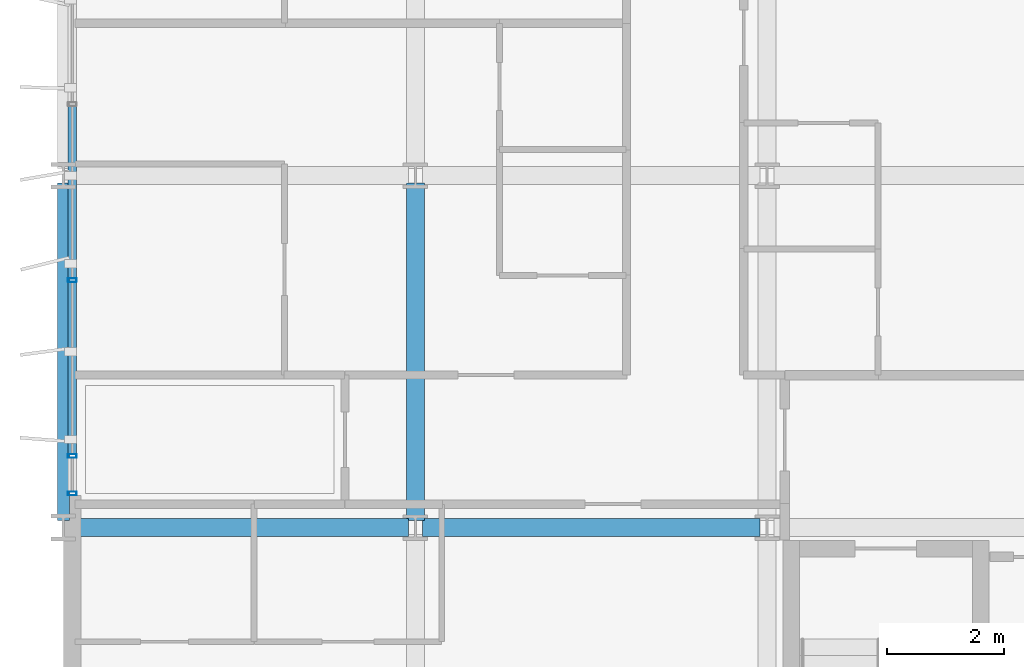
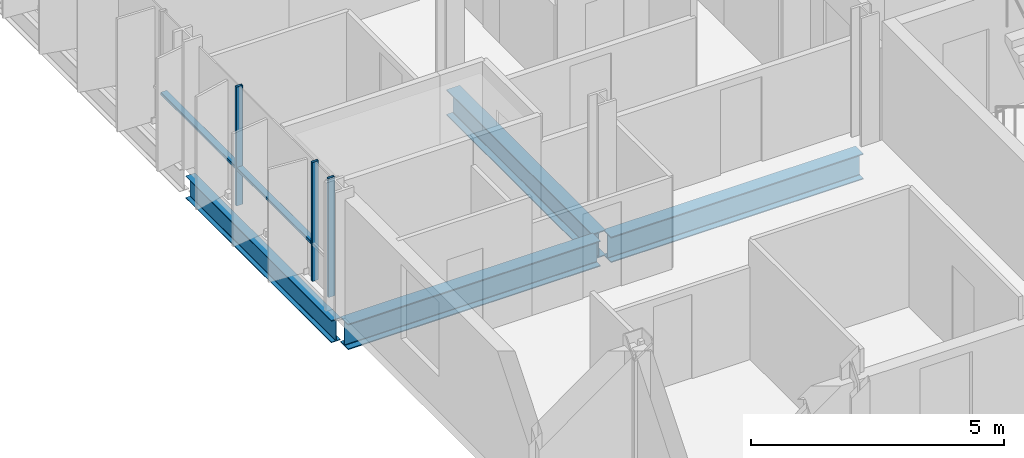
# One storey, part 2 of 39: 5 members, 4 beams, 1 element without a shape of its own.
"""IFC4 building model written with IfcOpenShell, lengths in metres."""

from ifc_helpers import new_model, si_unit, direction, frame, origin, origin_2d, place, context, subcontext, project, spatial, hollow_rectangle, i_section, extrude, material, layer, layer_set, material_profile, profile_set, type_object, element, aggregate, save


model = new_model("IFC4")

# Units and contexts
model_context = context("Model", 3, precision=1e-05, world=origin(), true_north=direction((0.0, 1.0)))
body_context = subcontext(model_context, "Body", "Model", "MODEL_VIEW")
ifc_project = project(units=[si_unit("LENGTHUNIT", "METRE"), si_unit("AREAUNIT", "SQUARE_METRE"), si_unit("VOLUMEUNIT", "CUBIC_METRE"), si_unit("PLANEANGLEUNIT", "RADIAN"), si_unit("MASSUNIT", "GRAM", prefix="KILO")], contexts=[model_context])

# Site, building, storey
site_placement = place(None, origin())
site = spatial("IfcSite", under=ifc_project, at=site_placement, CompositionType="ELEMENT")
building_placement = place(site_placement, origin())
building = spatial("IfcBuilding", under=site, at=building_placement, Name="Brevholm Reach", CompositionType="ELEMENT")
storey_placement = place(building_placement, frame((0.0, 0.0, 90.0)))
storey = spatial("IfcBuildingStorey", under=building, at=storey_placement, Name="L26", CompositionType="ELEMENT", Elevation=90.0)

# Beams
ifc_material_1 = material(Name="Structural Steel S355J2", Category="steel")
ifc_material_profile_1 = material_profile(ifc_material_1, i_section(OverallWidth=0.210693359375, OverallDepth=0.53955078125, WebThickness=0.01171875, FlangeThickness=0.018798828125, FilletRadius=0.0126953125, at=origin_2d()), Name="UKB 533x210x109")
ifc_profile_set_1 = profile_set([ifc_material_profile_1], Name="Structural Steel S355J2")
beam_type_1 = type_object("IfcBeamType", Name="BM-SP539", PredefinedType="SPANDREL", material=ifc_profile_set_1)
beam_placement = place(storey_placement, frame((0.0, 10.1201171875, -0.499755859375), z_axis=(0.0, 1.0, 0.0), x_axis=(-1.0, 0.0, 0.0)))
element("IfcBeam", 1, at=beam_placement, inside=storey, type_object=beam_type_1, Name="L26 SP-01B Framing Beam", PredefinedType="SPANDREL", context=body_context, shape_type="SweptSolid", body=[
    extrude(i_section(OverallWidth=0.210693359375, OverallDepth=0.53955078125, WebThickness=0.01171875, FlangeThickness=0.018798828125, FilletRadius=0.0126953125, at=origin_2d()), origin(), (0.0, 0.0, 1.0), 5.759765625),
])
ifc_material_2 = material(Name="Structural Steel S355J2", Category="steel")
ifc_material_profile_2 = material_profile(ifc_material_2, i_section(OverallWidth=0.30712890625, OverallDepth=0.6201171875, WebThickness=0.01416015625, FlangeThickness=0.023681640625, FilletRadius=0.0166015625, at=origin_2d()), Name="UKB 610x305x179")
ifc_profile_set_2 = profile_set([ifc_material_profile_2], Name="Structural Steel S355J2")
beam_type_2 = type_object("IfcBeamType", Name="BM-UKB610H", PredefinedType="USERDEFINED", material=ifc_profile_set_2)
for number, where, z_axis, x_axis, name in (
    (2, (0.1201171875, 10.0, -0.5400390625), (1.0, 0.0, 0.0), (0.0, 1.0, 0.0), "L26 G-06 Framing Beam"),
    (3, (6.1201171875, 10.0, -0.5400390625), (1.0, 0.0, 0.0), (0.0, 1.0, 0.0), "L26 G-06 Framing Beam"),
    (4, (6.0, 10.1201171875, -0.5400390625), (0.0, 1.0, 0.0), (-1.0, 0.0, 0.0), "L26 G-06 Framing Beam"),
):
    element("IfcBeam", number, at=place(storey_placement, frame(where, z_axis=z_axis, x_axis=x_axis)), inside=storey, type_object=beam_type_2, Name=name, ObjectType="GIRDER", PredefinedType="USERDEFINED", context=body_context, shape_type="SweptSolid", body=[
        extrude(i_section(OverallWidth=0.30712890625, OverallDepth=0.6201171875, WebThickness=0.01416015625, FlangeThickness=0.023681640625, FilletRadius=0.0166015625, at=origin_2d()), origin(), (0.0, 0.0, 1.0), 5.759765625),
    ])

# Curtain wall, members
ifc_material_3 = material(Name="Dark Anodised Aluminium 6063-T6 and Solar-Control Glass", Category="aluminium")
ifc_layer = layer(ifc_material_3, 0.14990234375)
ifc_layer_set = layer_set([ifc_layer], Name="Dark Anodised Aluminium 6063-T6 and Solar-Control Glass")
curtain_wall_type = type_object("IfcCurtainWallType", Name="CW-01", PredefinedType="NOTDEFINED", material=ifc_layer_set)
curtain_wall_placement = place(storey_placement, origin())
curtain_wall = element("IfcCurtainWall", 5, at=curtain_wall_placement, inside=storey, type_object=curtain_wall_type, Name="L26 Curtain Wall CW-01", PredefinedType="NOTDEFINED")
ifc_material_4 = material(Name="Dark Anodised Aluminium 6063-T6", Category="aluminium")
ifc_material_profile_3 = material_profile(ifc_material_4, hollow_rectangle(XDim=0.06494140625, YDim=0.14990234375, WallThickness=0.0048828125, InnerFilletRadius=0.0048828125, OuterFilletRadius=0.010009765625, at=origin_2d()), Name="RHS 150x65x5")
ifc_profile_set_3 = profile_set([ifc_material_profile_3], Name="Dark Anodised Aluminium 6063-T6")
member_type_1 = type_object("IfcMemberType", Name="CWM-150", PredefinedType="MULLION", material=ifc_profile_set_3)
member_1_placement = place(storey_placement, frame((0.14990234375, 14.219970703125, 0.0), z_axis=(0.0, 0.0, 1.0), x_axis=(0.0, -1.0, 0.0)))
member_1 = element("IfcMember", 6, at=member_1_placement, type_object=member_type_1, Name="CM-150 Mullion 4", PredefinedType="MULLION", context=body_context, shape_type="SweptSolid", body=[
    extrude(hollow_rectangle(XDim=0.06494140625, YDim=0.14990234375, WallThickness=0.0048828125, InnerFilletRadius=0.0048828125, OuterFilletRadius=0.010009765625, at=origin_2d()), origin(), (0.0, 0.0, 1.0), 2.8701171875),
])
member_2_placement = place(storey_placement, frame((0.14990234375, 11.219970703125, 0.0), z_axis=(0.0, 0.0, 1.0), x_axis=(0.0, -1.0, 0.0)))
member_2 = element("IfcMember", 7, at=member_2_placement, type_object=member_type_1, Name="CM-150 Mullion 5", PredefinedType="MULLION", context=body_context, shape_type="SweptSolid", body=[
    extrude(hollow_rectangle(XDim=0.06494140625, YDim=0.14990234375, WallThickness=0.0048828125, InnerFilletRadius=0.0048828125, OuterFilletRadius=0.010009765625, at=origin_2d()), origin(), (0.0, 0.0, 1.0), 2.8701171875),
])
member_3_placement = place(storey_placement, frame((0.14990234375, 10.58251953125, 0.0), z_axis=(0.0, 0.0, 1.0), x_axis=(0.0, -1.0, 0.0)))
member_3 = element("IfcMember", 8, at=member_3_placement, type_object=member_type_1, Name="CM-150 Mullion 6", PredefinedType="MULLION", context=body_context, shape_type="SweptSolid", body=[
    extrude(hollow_rectangle(XDim=0.06494140625, YDim=0.14990234375, WallThickness=0.0048828125, InnerFilletRadius=0.0048828125, OuterFilletRadius=0.010009765625, at=origin_2d()), origin(), (0.0, 0.0, 1.0), 2.8701171875),
])
ifc_material_5 = material(Name="Dark Anodised Aluminium 6063-T6", Category="aluminium")
ifc_material_profile_4 = material_profile(ifc_material_5, hollow_rectangle(XDim=0.06494140625, YDim=0.14990234375, WallThickness=0.0048828125, InnerFilletRadius=0.0048828125, OuterFilletRadius=0.010009765625, at=origin_2d()), Name="RHS 150x65x5")
ifc_profile_set_4 = profile_set([ifc_material_profile_4], Name="Dark Anodised Aluminium 6063-T6")
member_type_2 = type_object("IfcMemberType", Name="CWT-150", PredefinedType="NOTDEFINED", material=ifc_profile_set_4)
member_4_placement = place(storey_placement, frame((0.14990234375, 17.1875, 0.89990234375), z_axis=(0.0, -1.0, 0.0), x_axis=(0.0, 0.0, 1.0)))
member_4 = element("IfcMember", 9, at=member_4_placement, type_object=member_type_2, Name="CT-150 Transom 3.1", ObjectType="TRANSOM", PredefinedType="USERDEFINED", context=body_context, shape_type="SweptSolid", body=[
    extrude(hollow_rectangle(XDim=0.06494140625, YDim=0.14990234375, WallThickness=0.0048828125, InnerFilletRadius=0.0048828125, OuterFilletRadius=0.010009765625, at=origin_2d()), origin(), (0.0, 0.0, 1.0), 2.93505859375),
])
member_5_placement = place(storey_placement, frame((0.14990234375, 14.1875, 0.89990234375), z_axis=(0.0, -1.0, 0.0), x_axis=(0.0, 0.0, 1.0)))
member_5 = element("IfcMember", 10, at=member_5_placement, type_object=member_type_2, Name="CT-150 Transom 4.1", ObjectType="TRANSOM", PredefinedType="USERDEFINED", context=body_context, shape_type="SweptSolid", body=[
    extrude(hollow_rectangle(XDim=0.06494140625, YDim=0.14990234375, WallThickness=0.0048828125, InnerFilletRadius=0.0048828125, OuterFilletRadius=0.010009765625, at=origin_2d()), origin(), (0.0, 0.0, 1.0), 2.93505859375),
])
aggregate(curtain_wall, [member_1, member_2, member_3, member_4, member_5])

save(model, "model.ifc")
